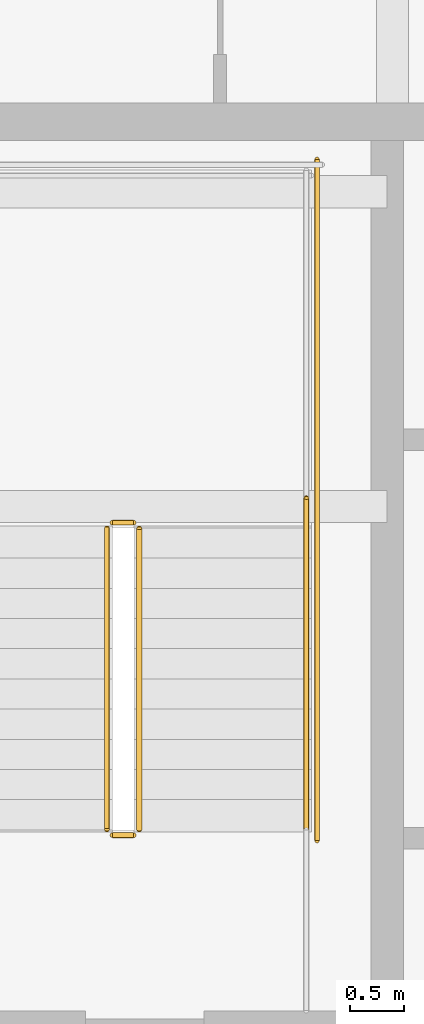
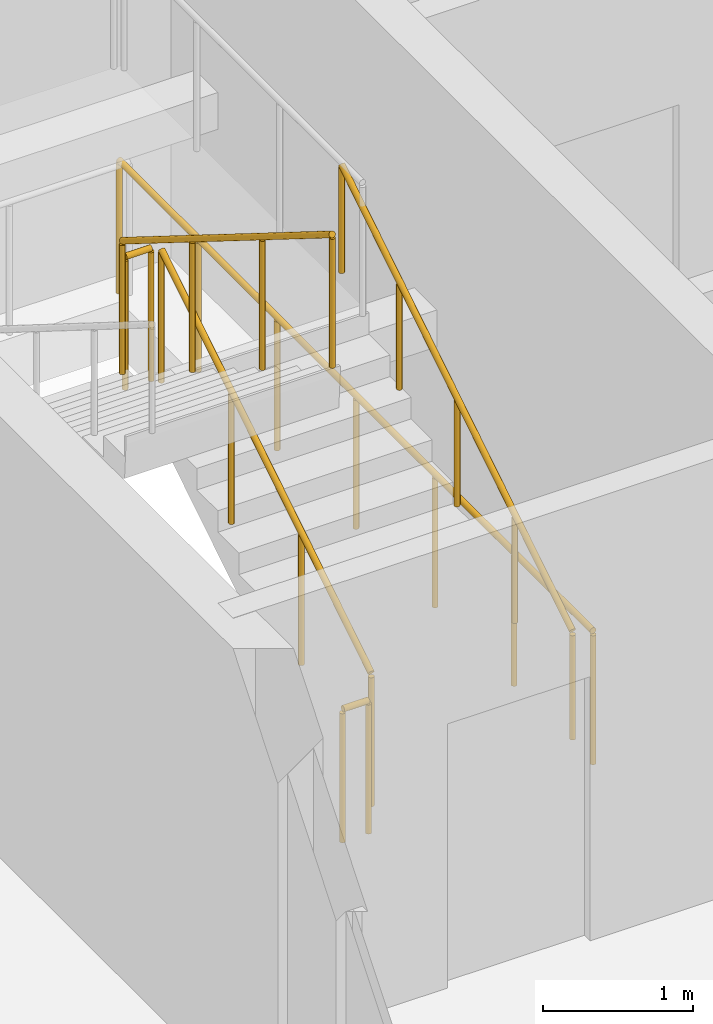
# One storey, part 32 of 35: 6 railings.
"""IFC4 building model written with IfcOpenShell, lengths in metres."""

from ifc_helpers import new_model, si_unit, direction, frame, origin, origin_2d, place, context, subcontext, project, spatial, circle, extrude, material, type_object, element, save


model = new_model("IFC4")

# Units and contexts
model_context = context("Model", 3, precision=1e-05, world=origin(), true_north=direction((0.0, 1.0)))
body_context = subcontext(model_context, "Body", "Model", "MODEL_VIEW")
ifc_project = project(units=[si_unit("LENGTHUNIT", "METRE"), si_unit("AREAUNIT", "SQUARE_METRE"), si_unit("VOLUMEUNIT", "CUBIC_METRE"), si_unit("PLANEANGLEUNIT", "RADIAN"), si_unit("MASSUNIT", "GRAM", prefix="KILO")], contexts=[model_context])

# Site, building, storey
site_placement = place(None, origin())
site = spatial("IfcSite", under=ifc_project, at=site_placement, CompositionType="ELEMENT")
building_placement = place(site_placement, origin())
building = spatial("IfcBuilding", under=site, at=building_placement, Name="Serunith Strait Residences", CompositionType="ELEMENT")
storey_placement = place(building_placement, frame((0.0, 0.0, 210.449951171875)))
storey = spatial("IfcBuildingStorey", under=building, at=storey_placement, Name="L52", CompositionType="ELEMENT", Elevation=210.449951171875)

# Railings
ifc_material = material(Name="Brushed stainless steel 316L", Category="steel")
railing_type_1 = type_object("IfcRailingType", Name="RLG-STAIR-GUARD", PredefinedType="BALUSTRADE", material=ifc_material)
railing_1_placement = place(storey_placement, frame((25.550048828125, 27.030029296875, 0.175048828125)))
element("IfcRailing", 1, at=railing_1_placement, inside=storey, type_object=railing_type_1, Name="L52 ST-1 stair guard 1", PredefinedType="BALUSTRADE", context=body_context, shape_type="SweptSolid", body=[
    extrude(circle(Radius=0.02392578125, at=origin_2d()), frame((0.0, 0.001708984375, 1.0771484375), z_axis=(0.0, 0.848002457836, 0.529992293815), x_axis=(-1.0, 0.0, 0.0)), (0.0, 0.0, 1.0), 3.2978515625),
    extrude(circle(Radius=0.02099609375, at=origin_2d()), origin(), (0.0, 0.0, 1.0), 1.050048828125),
    extrude(circle(Radius=0.02099609375, at=origin_2d()), frame((0.0, 0.933349609375, 0.583251953125)), (0.0, 0.0, 1.0), 1.050048828125),
    extrude(circle(Radius=0.02099609375, at=origin_2d()), frame((0.0, 1.86669921875, 1.166748046875)), (0.0, 0.0, 1.0), 1.050048828125),
    extrude(circle(Radius=0.02099609375, at=origin_2d()), frame((0.0, 2.800048828125, 1.75)), (0.0, 0.0, 1.0), 1.050048828125),
])
railing_2_placement = place(storey_placement, frame((25.5, 29.8798828125, 1.925048828125)))
element("IfcRailing", 2, at=railing_2_placement, inside=storey, type_object=railing_type_1, Name="L52 ST-1 stair guard 2", PredefinedType="BALUSTRADE", context=body_context, shape_type="SweptSolid", body=[
    extrude(circle(Radius=0.02392578125, at=origin_2d()), frame((-0.001953125, 0.0, 1.076171875), z_axis=(-1.0, 0.0, 0.0), x_axis=(0.0, -1.0, 0.0)), (0.0, 0.0, 1.0), 0.196044921875),
    extrude(circle(Radius=0.02099609375, at=origin_2d()), origin(), (0.0, 0.0, 1.0), 1.050048828125),
    extrude(circle(Radius=0.02099609375, at=origin_2d()), frame((-0.199951171875, 0.0, 0.0)), (0.0, 0.0, 1.0), 1.050048828125),
])
railing_3_placement = place(storey_placement, frame((25.25, 29.830078125, 2.10009765625)))
element("IfcRailing", 3, at=railing_3_placement, inside=storey, type_object=railing_type_1, Name="L52 ST-1 stair guard 6", PredefinedType="BALUSTRADE", context=body_context, shape_type="SweptSolid", body=[
    extrude(circle(Radius=0.02392578125, at=origin_2d()), frame((0.0, -0.001708984375, 1.0771484375), z_axis=(0.0, -0.848002457836, 0.529992293815), x_axis=(1.0, 0.0, 0.0)), (0.0, 0.0, 1.0), 3.2978515625),
    extrude(circle(Radius=0.02099609375, at=origin_2d()), origin(), (0.0, 0.0, 1.0), 1.050048828125),
    extrude(circle(Radius=0.02099609375, at=origin_2d()), frame((0.0, -0.933349609375, 0.583251953125)), (0.0, 0.0, 1.0), 1.050048828125),
    extrude(circle(Radius=0.02099609375, at=origin_2d()), frame((0.0, -1.86669921875, 1.166748046875)), (0.0, 0.0, 1.0), 1.050048828125),
    extrude(circle(Radius=0.02099609375, at=origin_2d()), frame((0.0, -2.800048828125, 1.75)), (0.0, 0.0, 1.0), 1.050048828125),
])
railing_4_placement = place(storey_placement, frame((25.5, 26.97998046875, 0.0)))
element("IfcRailing", 4, at=railing_4_placement, inside=storey, type_object=railing_type_1, Name="L52 ST-1 stair guard 7", PredefinedType="BALUSTRADE", context=body_context, shape_type="SweptSolid", body=[
    extrude(circle(Radius=0.02392578125, at=origin_2d()), frame((-0.001953125, 0.0, 1.076171875), z_axis=(-1.0, 0.0, 0.0), x_axis=(0.0, -1.0, 0.0)), (0.0, 0.0, 1.0), 0.196044921875),
    extrude(circle(Radius=0.02099609375, at=origin_2d()), origin(), (0.0, 0.0, 1.0), 1.050048828125),
    extrude(circle(Radius=0.02099609375, at=origin_2d()), frame((-0.199951171875, 0.0, 0.0)), (0.0, 0.0, 1.0), 1.050048828125),
])
railing_5_placement = place(storey_placement, frame((27.199951171875, 26.929931640625, 0.0)))
element("IfcRailing", 5, at=railing_5_placement, inside=storey, type_object=railing_type_1, Name="L52 ST-1 stair guard 10", PredefinedType="BALUSTRADE", context=body_context, shape_type="SweptSolid", body=[
    extrude(circle(Radius=0.02392578125, at=origin_2d()), frame((0.0, 0.001953125, 1.076171875), z_axis=(0.0, 1.0, 0.0), x_axis=(-1.0, 0.0, 0.0)), (0.0, 0.0, 1.0), 6.316162109375),
    extrude(circle(Radius=0.02099609375, at=origin_2d()), origin(), (0.0, 0.0, 1.0), 1.050048828125),
    extrude(circle(Radius=0.02099609375, at=origin_2d()), frame((0.0, 1.05322265625, 0.0)), (0.0, 0.0, 1.0), 1.050048828125),
    extrude(circle(Radius=0.02099609375, at=origin_2d()), frame((0.0, 2.106689453125, 0.0)), (0.0, 0.0, 1.0), 1.050048828125),
    extrude(circle(Radius=0.02099609375, at=origin_2d()), frame((0.0, 3.16015625, 0.0)), (0.0, 0.0, 1.0), 1.050048828125),
    extrude(circle(Radius=0.02099609375, at=origin_2d()), frame((0.0, 4.21337890625, 0.0)), (0.0, 0.0, 1.0), 1.050048828125),
    extrude(circle(Radius=0.02099609375, at=origin_2d()), frame((0.0, 5.2666015625, 0.0)), (0.0, 0.0, 1.0), 1.050048828125),
    extrude(circle(Radius=0.02099609375, at=origin_2d()), frame((0.0, 6.320068359375, 0.0)), (0.0, 0.0, 1.0), 1.050048828125),
])
railing_type_2 = type_object("IfcRailingType", Name="RLG-STAIR-HR", PredefinedType="HANDRAIL", material=ifc_material)
railing_6_placement = place(storey_placement, frame((27.10009765625, 27.030029296875, 0.175048828125)))
element("IfcRailing", 6, at=railing_6_placement, inside=storey, type_object=railing_type_2, Name="L52 ST-1 stair handrail 1", PredefinedType="HANDRAIL", context=body_context, shape_type="SweptSolid", body=[
    extrude(circle(Radius=0.02392578125, at=origin_2d()), frame((0.0, 0.001708984375, 0.876953125), z_axis=(0.0, 0.847393994688, 0.530964610654), x_axis=(-1.0, 0.0, 0.0)), (0.0, 0.0, 1.0), 3.630859375),
    extrude(circle(Radius=0.02099609375, at=origin_2d()), origin(), (0.0, 0.0, 1.0), 0.849853515625),
    extrude(circle(Radius=0.02099609375, at=origin_2d()), frame((0.0, 0.77001953125, 0.482421875)), (0.0, 0.0, 1.0), 0.849853515625),
    extrude(circle(Radius=0.02099609375, at=origin_2d()), frame((0.0, 1.5400390625, 0.96484375)), (0.0, 0.0, 1.0), 0.849853515625),
    extrude(circle(Radius=0.02099609375, at=origin_2d()), frame((0.0, 2.31005859375, 1.447509765625)), (0.0, 0.0, 1.0), 0.849853515625),
    extrude(circle(Radius=0.02099609375, at=origin_2d()), frame((0.0, 3.080078125, 1.929931640625)), (0.0, 0.0, 1.0), 0.849853515625),
])

save(model, "model.ifc")
